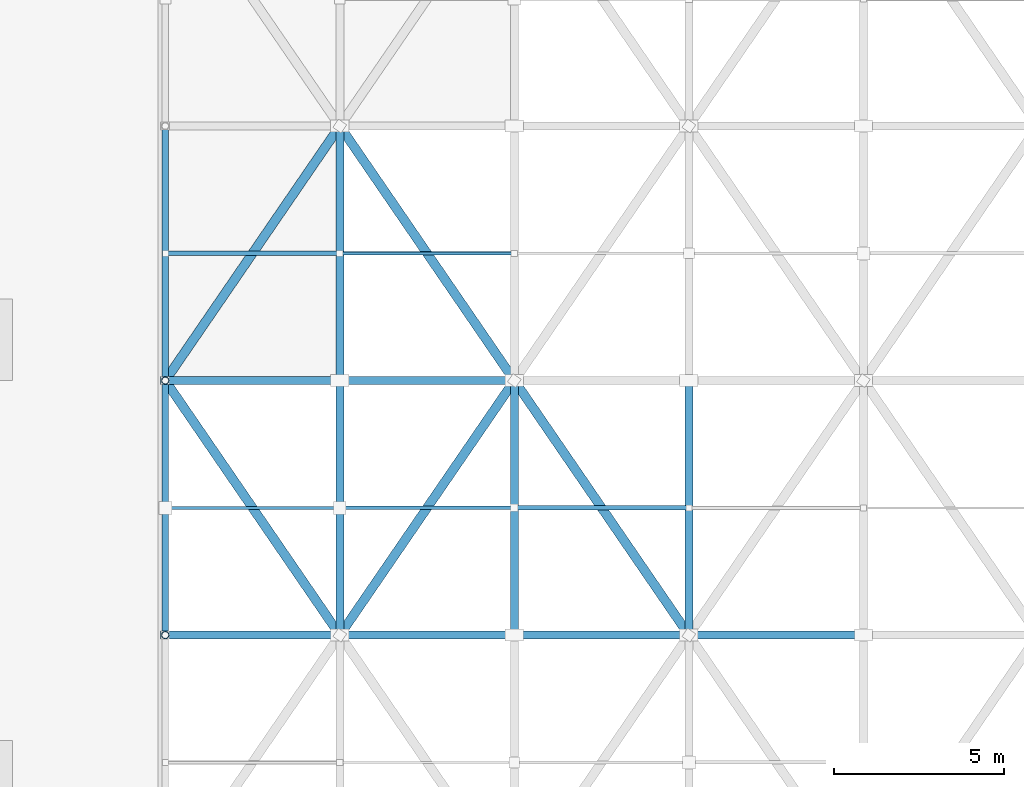
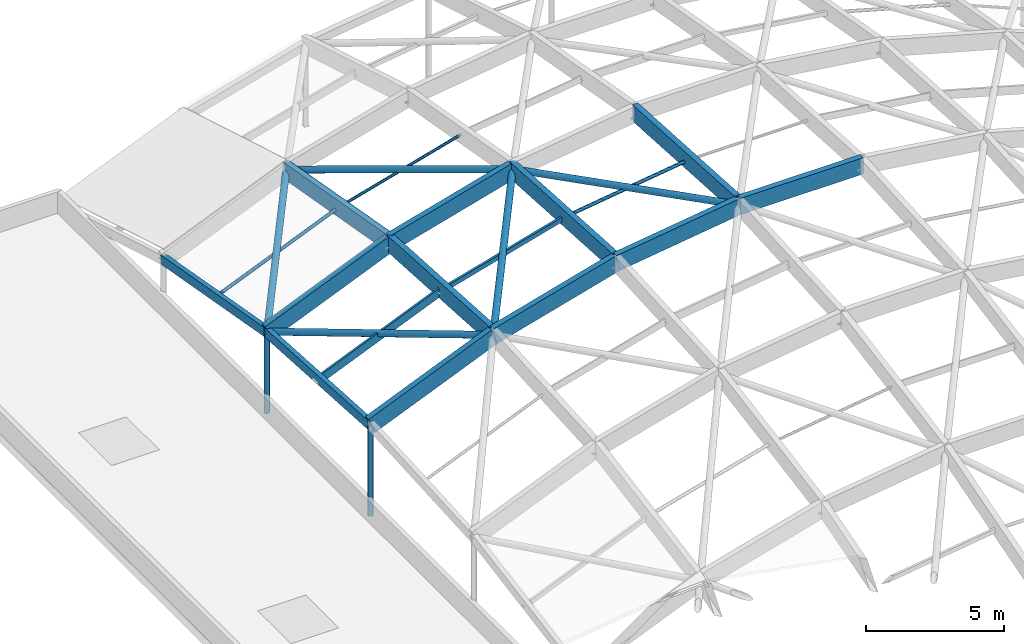
# One storey, part 42 of 81: 24 members.
"""IFC4 building model written with IfcOpenShell, lengths in metres."""

from ifc_helpers import new_model, si_unit, direction, frame, origin, origin_2d, place, context, subcontext, project, spatial, rectangle, hollow_rectangle, hollow_circle, extrude, material, material_profile, profile_set, type_object, element, save


model = new_model("IFC4")

# Units and contexts
model_context = context("Model", 3, precision=1e-05, world=origin(), true_north=direction((0.0, 1.0)))
body_context = subcontext(model_context, "Body", "Model", "MODEL_VIEW")
ifc_project = project(units=[si_unit("LENGTHUNIT", "METRE"), si_unit("AREAUNIT", "SQUARE_METRE"), si_unit("VOLUMEUNIT", "CUBIC_METRE"), si_unit("PLANEANGLEUNIT", "RADIAN"), si_unit("MASSUNIT", "GRAM", prefix="KILO")], contexts=[model_context])

# Site, building, storey
site_placement = place(None, origin())
site = spatial("IfcSite", under=ifc_project, at=site_placement, CompositionType="ELEMENT")
building_placement = place(site_placement, origin())
building = spatial("IfcBuilding", under=site, at=building_placement, Name="Marnridge Secondary College", CompositionType="ELEMENT")
storey_placement = place(building_placement, frame((0.0, 0.0, 8.5)))
storey = spatial("IfcBuildingStorey", under=building, at=storey_placement, Name="L02", CompositionType="ELEMENT", Elevation=8.5)

# Members
ifc_material_1 = material(Name="Cold-formed steel Grade C350L0 (AS/NZS 1163, fy = 350 MPa)", Category="steel")
ifc_material_profile_1 = material_profile(ifc_material_1, hollow_circle(Radius=0.109619140625, WallThickness=0.00830078125, at=origin_2d()), Name="219.1x8.2CHS")
ifc_profile_set_1 = profile_set([ifc_material_profile_1], Name="Cold-formed steel Grade C350L0 (AS/NZS 1163, fy = 350 MPa)")
member_type_1 = type_object("IfcMemberType", Name="MB-GS-CHS219", PredefinedType="BRACE", material=ifc_profile_set_1)
member_1_placement = place(storey_placement, frame((135.0, 97.5, 0.090087890625), z_axis=(0.0, 0.0, 1.0), x_axis=(1.0, 0.0, 0.0)))
element("IfcMember", 1, at=member_1_placement, inside=storey, type_object=member_type_1, Name="Gridshell boundary post GSP-0003", PredefinedType="BRACE", context=body_context, shape_type="SweptSolid", body=[
    extrude(hollow_circle(Radius=0.109619140625, WallThickness=0.00830078125, at=origin_2d()), origin(), (0.0, 0.0, 1.0), 4.030029296875),
])
member_2_placement = place(storey_placement, frame((135.0, 105.0, 0.090087890625), z_axis=(0.0, 0.0, 1.0), x_axis=(1.0, 0.0, 0.0)))
element("IfcMember", 2, at=member_2_placement, inside=storey, type_object=member_type_1, Name="Gridshell boundary post GSP-0004", PredefinedType="BRACE", context=body_context, shape_type="SweptSolid", body=[
    extrude(hollow_circle(Radius=0.109619140625, WallThickness=0.00830078125, at=origin_2d()), origin(), (0.0, 0.0, 1.0), 3.58544921875),
])
ifc_material_2 = material(Name="Cold-formed steel Grade C350L0 (AS/NZS 1163, fy = 350 MPa)", Category="steel")
ifc_material_profile_2 = material_profile(ifc_material_2, hollow_circle(Radius=0.136474609375, WallThickness=0.00927734375, at=origin_2d()), Name="273.1x9.3CHS")
ifc_profile_set_2 = profile_set([ifc_material_profile_2], Name="Cold-formed steel Grade C350L0 (AS/NZS 1163, fy = 350 MPa)")
member_type_2 = type_object("IfcMemberType", Name="MB-GS-CHS273", PredefinedType="BRACE", material=ifc_profile_set_2)
member_3_placement = place(storey_placement, frame((140.142822265625, 97.5, 6.255126953125), z_axis=(-0.543745087666, 0.792966963831, -0.274853913765), x_axis=(-0.824730640628, -0.565525746902, 0.0)))
element("IfcMember", 3, at=member_3_placement, inside=storey, type_object=member_type_2, Name="Gridshell member GR-0101", PredefinedType="BRACE", context=body_context, shape_type="SweptSolid", body=[
    extrude(hollow_circle(Radius=0.136474609375, WallThickness=0.00927734375, at=origin_2d()), origin(), (0.0, 0.0, 1.0), 9.458251953125),
])
member_4_placement = place(storey_placement, frame((135.0, 105.0, 3.655517578125), z_axis=(0.563230747854, 0.821383744319, 0.089999273548), x_axis=(-0.824730640628, 0.565525746902, 0.0)))
element("IfcMember", 4, at=member_4_placement, inside=storey, type_object=member_type_2, Name="Gridshell member GR-0102", PredefinedType="BRACE", context=body_context, shape_type="SweptSolid", body=[
    extrude(hollow_circle(Radius=0.136474609375, WallThickness=0.00927734375, at=origin_2d()), origin(), (0.0, 0.0, 1.0), 9.130859375),
])
member_5_placement = place(storey_placement, frame((140.142822265625, 97.5, 6.255126953125), z_axis=(0.562189522386, 0.819865280213, 0.108461344362), x_axis=(-0.824730640628, 0.565525746902, 0.0)))
element("IfcMember", 5, at=member_5_placement, inside=storey, type_object=member_type_2, Name="Gridshell member GR-0107", PredefinedType="BRACE", context=body_context, shape_type="SweptSolid", body=[
    extrude(hollow_circle(Radius=0.136474609375, WallThickness=0.00927734375, at=origin_2d()), origin(), (0.0, 0.0, 1.0), 9.14794921875),
])
member_6_placement = place(storey_placement, frame((145.28564453125, 105.0, 7.247314453125), z_axis=(-0.540985294564, 0.788942238263, -0.291384721202), x_axis=(-0.824730640628, -0.565525746902, 0.0)))
element("IfcMember", 6, at=member_6_placement, inside=storey, type_object=member_type_2, Name="Gridshell member GR-0108", PredefinedType="BRACE", context=body_context, shape_type="SweptSolid", body=[
    extrude(hollow_circle(Radius=0.136474609375, WallThickness=0.00927734375, at=origin_2d()), origin(), (0.0, 0.0, 1.0), 9.50634765625),
])
member_7_placement = place(storey_placement, frame((150.4287109375, 97.5, 8.41015625), z_axis=(-0.560976491508, 0.818057429941, -0.126836182904), x_axis=(-0.824718119143, -0.565544007092, 0.0)))
element("IfcMember", 7, at=member_7_placement, inside=storey, type_object=member_type_2, Name="Gridshell member GR-0113", PredefinedType="BRACE", context=body_context, shape_type="SweptSolid", body=[
    extrude(hollow_circle(Radius=0.136474609375, WallThickness=0.00927734375, at=origin_2d()), origin(), (0.0, 0.0, 1.0), 9.16796875),
])
ifc_material_3 = material(Name="Glulam timber GL18", Category="wood")
ifc_material_profile_3 = material_profile(ifc_material_3, rectangle(XDim=0.239990234375, YDim=0.719970703125, at=origin_2d()), Name="GL18 240x720")
ifc_profile_set_3 = profile_set([ifc_material_profile_3], Name="Glulam timber GL18")
member_type_3 = type_object("IfcMemberType", Name="MB-GS-GL720", PredefinedType="CHORD", material=ifc_profile_set_3)
member_8_placement = place(storey_placement, frame((140.142822265625, 97.5, 6.255126953125), z_axis=(0.0, 0.998249633752, -0.059141091583), x_axis=(-1.0, 0.0, 0.0)))
element("IfcMember", 8, at=member_8_placement, inside=storey, type_object=member_type_3, Name="Gridshell member GR-0010", PredefinedType="CHORD", context=body_context, shape_type="SweptSolid", body=[
    extrude(rectangle(XDim=0.239990234375, YDim=0.719970703125, at=origin_2d()), origin(), (0.0, 0.0, 1.0), 7.51318359375),
])
member_9_placement = place(storey_placement, frame((140.142822265625, 105.0, 5.810791015625), z_axis=(0.0, 0.984558825488, -0.175054046381), x_axis=(-1.0, 0.0, 0.0)))
element("IfcMember", 9, at=member_9_placement, inside=storey, type_object=member_type_3, Name="Gridshell member GR-0011", PredefinedType="CHORD", context=body_context, shape_type="SweptSolid", body=[
    extrude(rectangle(XDim=0.239990234375, YDim=0.719970703125, at=origin_2d()), origin(), (0.0, 0.0, 1.0), 7.61767578125),
])
for number, where, z_axis, x_axis, name in (
    (10, (145.28564453125, 97.5, 7.69189453125), (0.0, 0.998247714799, -0.059173472938), (-1.0, 0.0, 0.0), "Gridshell member GR-0016"),
    (11, (150.4287109375, 97.5, 8.41015625), (0.0, 0.998249633752, -0.059141091583), (-1.0, 0.0, 0.0), "Gridshell member GR-0022"),
):
    element("IfcMember", number, at=place(storey_placement, frame(where, z_axis=z_axis, x_axis=x_axis)), inside=storey, type_object=member_type_3, Name=name, PredefinedType="CHORD", context=body_context, shape_type="SweptSolid", body=[
        extrude(rectangle(XDim=0.239990234375, YDim=0.719970703125, at=origin_2d()), origin(), (0.0, 0.0, 1.0), 7.51318359375),
    ])
member_10_placement = place(storey_placement, frame((135.0, 97.5, 4.10009765625), z_axis=(0.922299118379, 0.0, 0.386476824967), x_axis=(0.0, 1.0, 0.0)))
element("IfcMember", 12, at=member_10_placement, inside=storey, type_object=member_type_3, Name="Gridshell member GR-0070", PredefinedType="CHORD", context=body_context, shape_type="SweptSolid", body=[
    extrude(rectangle(XDim=0.239990234375, YDim=0.719970703125, at=origin_2d()), origin(), (0.0, 0.0, 1.0), 5.576171875),
])
member_11_placement = place(storey_placement, frame((140.142822265625, 97.5, 6.255126953125), z_axis=(0.963120557911, 0.0, 0.269070234194), x_axis=(0.0, 1.0, 0.0)))
element("IfcMember", 13, at=member_11_placement, inside=storey, type_object=member_type_3, Name="Gridshell member GR-0071", PredefinedType="CHORD", context=body_context, shape_type="SweptSolid", body=[
    extrude(rectangle(XDim=0.239990234375, YDim=0.719970703125, at=origin_2d()), origin(), (0.0, 0.0, 1.0), 5.33984375),
])
member_12_placement = place(storey_placement, frame((145.28564453125, 97.5, 7.69189453125), z_axis=(0.990388427346, 0.0, 0.138314001389), x_axis=(0.0, 1.0, 0.0)))
element("IfcMember", 14, at=member_12_placement, inside=storey, type_object=member_type_3, Name="Gridshell member GR-0072", PredefinedType="CHORD", context=body_context, shape_type="SweptSolid", body=[
    extrude(rectangle(XDim=0.239990234375, YDim=0.719970703125, at=origin_2d()), origin(), (0.0, 0.0, 1.0), 5.19287109375),
])
member_13_placement = place(storey_placement, frame((150.4287109375, 97.5, 8.41015625), z_axis=(1.0, 0.0, 0.0), x_axis=(0.0, 1.0, 0.0)))
element("IfcMember", 15, at=member_13_placement, inside=storey, type_object=member_type_3, Name="Gridshell member GR-0073", PredefinedType="CHORD", context=body_context, shape_type="SweptSolid", body=[
    extrude(rectangle(XDim=0.239990234375, YDim=0.719970703125, at=origin_2d()), origin(), (0.0, 0.0, 1.0), 5.142578125),
])
member_14_placement = place(storey_placement, frame((135.0, 105.0, 3.655517578125), z_axis=(0.922283511389, 0.0, 0.386514067816), x_axis=(0.0, 1.0, 0.0)))
element("IfcMember", 16, at=member_14_placement, inside=storey, type_object=member_type_3, Name="Gridshell member GR-0077", PredefinedType="CHORD", context=body_context, shape_type="SweptSolid", body=[
    extrude(rectangle(XDim=0.239990234375, YDim=0.719970703125, at=origin_2d()), origin(), (0.0, 0.0, 1.0), 5.576171875),
])
member_15_placement = place(storey_placement, frame((140.142822265625, 105.0, 5.810791015625), z_axis=(0.963132405681, 0.0, 0.269027822218), x_axis=(0.0, 1.0, 0.0)))
element("IfcMember", 17, at=member_15_placement, inside=storey, type_object=member_type_3, Name="Gridshell member GR-0078", PredefinedType="CHORD", context=body_context, shape_type="SweptSolid", body=[
    extrude(rectangle(XDim=0.239990234375, YDim=0.719970703125, at=origin_2d()), origin(), (0.0, 0.0, 1.0), 5.339599609375),
])
ifc_material_4 = material(Name="Cold-formed steel Grade C350L0 (AS/NZS 1163, fy = 350 MPa)", Category="steel")
ifc_material_profile_4 = material_profile(ifc_material_4, hollow_rectangle(XDim=0.199951171875, YDim=0.39990234375, WallThickness=0.010009765625, at=origin_2d()), Name="400x200x10.0RHS")
ifc_profile_set_4 = profile_set([ifc_material_profile_4], Name="Cold-formed steel Grade C350L0 (AS/NZS 1163, fy = 350 MPa)")
member_type_4 = type_object("IfcMemberType", Name="MB-GS-RHS400", PredefinedType="CHORD", material=ifc_profile_set_4)
member_16_placement = place(storey_placement, frame((135.0, 97.5, 4.10009765625), z_axis=(0.0, 0.998247714799, -0.059173472938), x_axis=(-1.0, 0.0, 0.0)))
element("IfcMember", 18, at=member_16_placement, inside=storey, type_object=member_type_4, Name="Gridshell member GR-0004", PredefinedType="CHORD", context=body_context, shape_type="SweptSolid", body=[
    extrude(hollow_rectangle(XDim=0.199951171875, YDim=0.39990234375, WallThickness=0.010009765625, at=origin_2d()), origin(), (0.0, 0.0, 1.0), 7.51318359375),
])
member_17_placement = place(storey_placement, frame((135.0, 105.0, 3.655517578125), z_axis=(0.0, 0.984564348782, -0.175022978799), x_axis=(-1.0, 0.0, 0.0)))
element("IfcMember", 19, at=member_17_placement, inside=storey, type_object=member_type_4, Name="Gridshell member GR-0005", PredefinedType="CHORD", context=body_context, shape_type="SweptSolid", body=[
    extrude(hollow_rectangle(XDim=0.199951171875, YDim=0.39990234375, WallThickness=0.010009765625, at=origin_2d()), origin(), (0.0, 0.0, 1.0), 7.61767578125),
])
ifc_material_5 = material(Name="Cold-formed steel Grade C350L0 (AS/NZS 1163, fy = 350 MPa)", Category="steel")
ifc_material_profile_5 = material_profile(ifc_material_5, hollow_circle(Radius=0.05712890625, WallThickness=0.00439453125, at=origin_2d()), Name="114.3x4.5CHS")
ifc_profile_set_5 = profile_set([ifc_material_profile_5], Name="Cold-formed steel Grade C350L0 (AS/NZS 1163, fy = 350 MPa)")
member_type_5 = type_object("IfcMemberType", Name="MB-PR-CHS114", PredefinedType="PURLIN", material=ifc_profile_set_5)
member_18_placement = place(storey_placement, frame((140.142822265625, 108.75, 5.06396484375), z_axis=(0.963120557911, 0.0, 0.269070234194), x_axis=(0.0, 1.0, 0.0)))
element("IfcMember", 20, at=member_18_placement, inside=storey, type_object=member_type_5, Name="Gridshell purlin PR-0033", PredefinedType="PURLIN", context=body_context, shape_type="SweptSolid", body=[
    extrude(hollow_circle(Radius=0.05712890625, WallThickness=0.00439453125, at=origin_2d()), origin(), (0.0, 0.0, 1.0), 5.33984375),
])
ifc_material_6 = material(Name="Cold-formed steel Grade C350L0 (AS/NZS 1163, fy = 350 MPa)", Category="steel")
ifc_material_profile_6 = material_profile(ifc_material_6, hollow_circle(Radius=0.06982421875, WallThickness=0.00537109375, at=origin_2d()), Name="139.7x5.4CHS")
ifc_profile_set_6 = profile_set([ifc_material_profile_6], Name="Cold-formed steel Grade C350L0 (AS/NZS 1163, fy = 350 MPa)")
member_type_6 = type_object("IfcMemberType", Name="MB-PR-CHS139", PredefinedType="PURLIN", material=ifc_profile_set_6)
member_19_placement = place(storey_placement, frame((135.0, 108.75, 2.908935546875), z_axis=(0.922299118379, 0.0, 0.386476824967), x_axis=(0.0, 1.0, 0.0)))
element("IfcMember", 21, at=member_19_placement, inside=storey, type_object=member_type_6, Name="Gridshell purlin PR-0027", PredefinedType="PURLIN", context=body_context, shape_type="SweptSolid", body=[
    extrude(hollow_circle(Radius=0.06982421875, WallThickness=0.00537109375, at=origin_2d()), origin(), (0.0, 0.0, 1.0), 5.576171875),
])
member_20_placement = place(storey_placement, frame((145.28564453125, 101.25, 7.3896484375), z_axis=(0.990388427346, 0.0, 0.138314001389), x_axis=(0.0, 1.0, 0.0)))
element("IfcMember", 22, at=member_20_placement, inside=storey, type_object=member_type_6, Name="Gridshell purlin PR-0038", PredefinedType="PURLIN", context=body_context, shape_type="SweptSolid", body=[
    extrude(hollow_circle(Radius=0.06982421875, WallThickness=0.00537109375, at=origin_2d()), origin(), (0.0, 0.0, 1.0), 5.19287109375),
])
ifc_material_7 = material(Name="Engineered timber LVL E13.2", Category="wood")
ifc_material_profile_7 = material_profile(ifc_material_7, rectangle(XDim=0.090087890625, YDim=0.360107421875, at=origin_2d()), Name="LVL 90x360")
ifc_profile_set_7 = profile_set([ifc_material_profile_7], Name="Engineered timber LVL E13.2")
member_type_7 = type_object("IfcMemberType", Name="MB-PR-LVL360", PredefinedType="PURLIN", material=ifc_profile_set_7)
member_21_placement = place(storey_placement, frame((135.0, 101.25, 3.7978515625), z_axis=(0.922299118379, 0.0, 0.386476824967), x_axis=(0.0, 1.0, 0.0)))
element("IfcMember", 23, at=member_21_placement, inside=storey, type_object=member_type_7, Name="Gridshell purlin PR-0026", PredefinedType="PURLIN", context=body_context, shape_type="SweptSolid", body=[
    extrude(rectangle(XDim=0.090087890625, YDim=0.360107421875, at=origin_2d()), origin(), (0.0, 0.0, 1.0), 5.576171875),
])
ifc_material_8 = material(Name="Cold-formed steel Grade C350L0 (AS/NZS 1163, fy = 350 MPa)", Category="steel")
ifc_material_profile_8 = material_profile(ifc_material_8, hollow_rectangle(XDim=0.10009765625, YDim=0.199951171875, WallThickness=0.006103515625, at=origin_2d()), Name="200x100x6.0RHS")
ifc_profile_set_8 = profile_set([ifc_material_profile_8], Name="Cold-formed steel Grade C350L0 (AS/NZS 1163, fy = 350 MPa)")
member_type_8 = type_object("IfcMemberType", Name="MB-PR-RHS200", PredefinedType="PURLIN", material=ifc_profile_set_8)
member_22_placement = place(storey_placement, frame((140.142822265625, 101.25, 5.952880859375), z_axis=(0.963120557911, 0.0, 0.269070234194), x_axis=(0.0, 1.0, 0.0)))
element("IfcMember", 24, at=member_22_placement, inside=storey, type_object=member_type_8, Name="Gridshell purlin PR-0032", PredefinedType="PURLIN", context=body_context, shape_type="SweptSolid", body=[
    extrude(hollow_rectangle(XDim=0.10009765625, YDim=0.199951171875, WallThickness=0.006103515625, at=origin_2d()), origin(), (0.0, 0.0, 1.0), 5.33984375),
])

save(model, "model.ifc")
